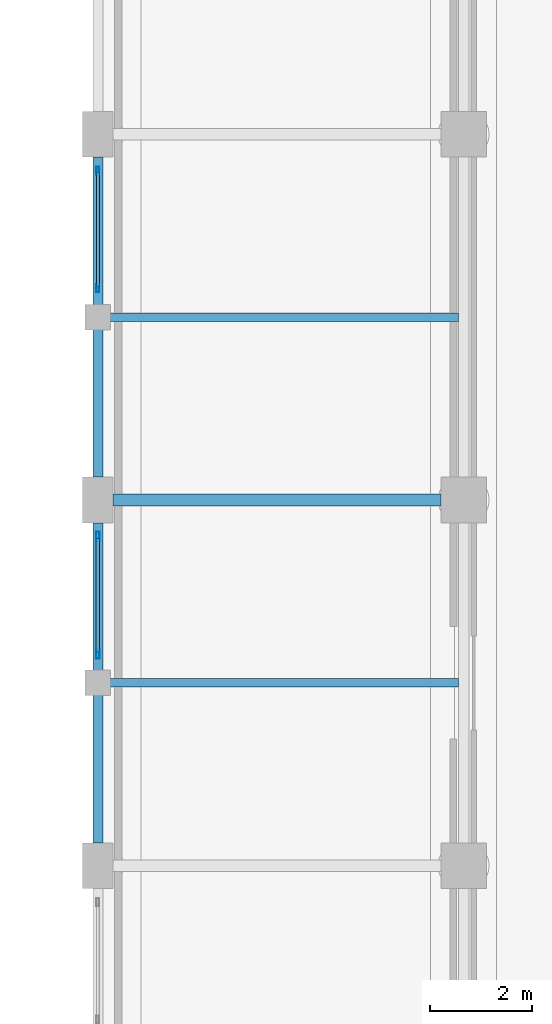
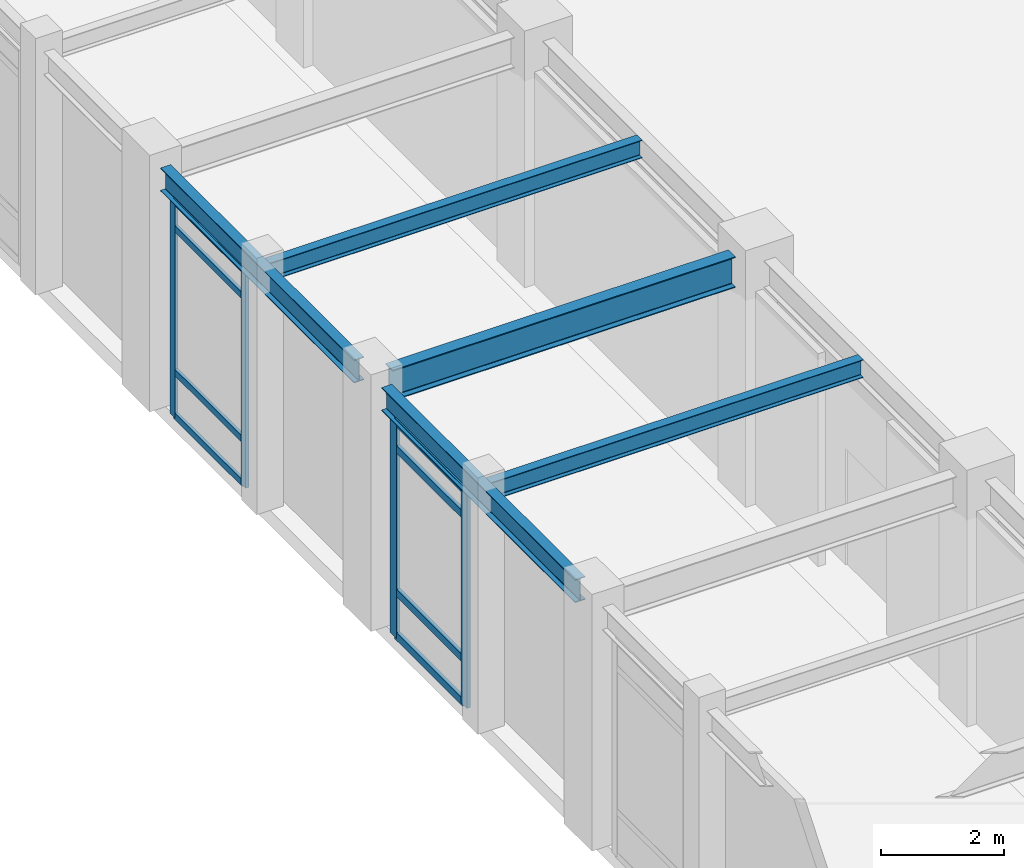
# One storey, part 22 of 117: 12 members, 5 beams, 2 elements without a shape of their own.
"""IFC4 building model written with IfcOpenShell, lengths in metres."""

from ifc_helpers import new_model, si_unit, direction, frame, origin, origin_2d, place, context, subcontext, project, spatial, hollow_rectangle, i_section, extrude, material, layer, layer_set, material_profile, profile_set, type_object, element, aggregate, save


model = new_model("IFC4")

# Units and contexts
model_context = context("Model", 3, precision=1e-05, world=origin(), true_north=direction((0.0, 1.0)))
body_context = subcontext(model_context, "Body", "Model", "MODEL_VIEW")
ifc_project = project(units=[si_unit("LENGTHUNIT", "METRE"), si_unit("AREAUNIT", "SQUARE_METRE"), si_unit("VOLUMEUNIT", "CUBIC_METRE"), si_unit("PLANEANGLEUNIT", "RADIAN"), si_unit("MASSUNIT", "GRAM", prefix="KILO")], contexts=[model_context])

# Site, building, storey
site_placement = place(None, origin())
site = spatial("IfcSite", under=ifc_project, at=site_placement, CompositionType="ELEMENT")
building_placement = place(site_placement, origin())
building = spatial("IfcBuilding", under=site, at=building_placement, Name="Carrowvane Square Congress Hotel", CompositionType="ELEMENT")
storey_placement = place(building_placement, frame((0.0, 0.0, 5.39990234375)))
storey = spatial("IfcBuildingStorey", under=building, at=storey_placement, Name="L01", CompositionType="ELEMENT", Elevation=5.39990234375)

# Beams
ifc_material_1 = material(Name="Steel S355", Category="steel")
ifc_material_profile_1 = material_profile(ifc_material_1, i_section(OverallWidth=0.172119140625, OverallDepth=0.35791015625, WebThickness=0.008056640625, FlangeThickness=0.012939453125, FilletRadius=0.01025390625, at=origin_2d()), Name="UKB 356x171x57")
ifc_profile_set_1 = profile_set([ifc_material_profile_1], Name="Steel S355")
beam_type_1 = type_object("IfcBeamType", Name="BM-ST-UKB356", PredefinedType="JOIST", material=ifc_profile_set_1)
for number, where, z_axis, x_axis, name in (
    (1, (134.095703125, 30.60009765625, 4.60107421875), (1.0, 0.0, 0.0), (0.0, 1.0, 0.0), "L02 secondary joist 18-19"),
    (2, (134.095703125, 37.800048828125, 4.60107421875), (1.0, 0.0, 0.0), (0.0, 1.0, 0.0), "L02 secondary joist 18-19"),
):
    element("IfcBeam", number, at=place(storey_placement, frame(where, z_axis=z_axis, x_axis=x_axis)), inside=storey, type_object=beam_type_1, Name=name, PredefinedType="JOIST", context=body_context, shape_type="SweptSolid", body=[
        extrude(i_section(OverallWidth=0.172119140625, OverallDepth=0.35791015625, WebThickness=0.008056640625, FlangeThickness=0.012939453125, FilletRadius=0.01025390625, at=origin_2d()), origin(), (0.0, 0.0, 1.0), 6.999267578125),
    ])
ifc_material_2 = material(Name="Steel S355", Category="steel")
ifc_material_profile_2 = material_profile(ifc_material_2, i_section(OverallWidth=0.19140625, OverallDepth=0.4599609375, WebThickness=0.010009765625, FlangeThickness=0.01611328125, FilletRadius=0.01025390625, at=origin_2d()), Name="UKB 457x191x82")
ifc_profile_set_2 = profile_set([ifc_material_profile_2], Name="Steel S355")
beam_type_2 = type_object("IfcBeamType", Name="BM-ST-UKB457", PredefinedType="SPANDREL", material=ifc_profile_set_2)
for number, where, z_axis, x_axis, name in (
    (3, (134.0, 27.449951171875, 4.550048828125), (0.0, 1.0, 0.0), (-1.0, 0.0, 0.0), "L02 girder 18/D-E"),
    (4, (134.0, 34.64990234375, 4.550048828125), (0.0, 1.0, 0.0), (-1.0, 0.0, 0.0), "L02 girder 18/E-F"),
):
    element("IfcBeam", number, at=place(storey_placement, frame(where, z_axis=z_axis, x_axis=x_axis)), inside=storey, type_object=beam_type_2, Name=name, PredefinedType="SPANDREL", context=body_context, shape_type="SweptSolid", body=[
        extrude(i_section(OverallWidth=0.19140625, OverallDepth=0.4599609375, WebThickness=0.010009765625, FlangeThickness=0.01611328125, FilletRadius=0.01025390625, at=origin_2d()), origin(), (0.0, 0.0, 1.0), 6.300048828125),
    ])
ifc_material_3 = material(Name="Steel S355", Category="steel")
ifc_material_profile_3 = material_profile(ifc_material_3, i_section(OverallWidth=0.22900390625, OverallDepth=0.6123046875, WebThickness=0.011962890625, FlangeThickness=0.01953125, FilletRadius=0.0126953125, at=origin_2d()), Name="UKB 610x229x125")
ifc_profile_set_3 = profile_set([ifc_material_profile_3], Name="Steel S355")
beam_type_3 = type_object("IfcBeamType", Name="BM-ST-UKB610A", PredefinedType="USERDEFINED", material=ifc_profile_set_3)
beam_placement = place(storey_placement, frame((134.300048828125, 34.199951171875, 4.473876953125), z_axis=(1.0, 0.0, 0.0), x_axis=(0.0, 1.0, 0.0)))
element("IfcBeam", 5, at=beam_placement, inside=storey, type_object=beam_type_3, Name="L02 girder E/18-19", ObjectType="GIRDER", PredefinedType="USERDEFINED", context=body_context, shape_type="SweptSolid", body=[
    extrude(i_section(OverallWidth=0.22900390625, OverallDepth=0.6123046875, WebThickness=0.011962890625, FlangeThickness=0.01953125, FilletRadius=0.0126953125, at=origin_2d()), origin(), (0.0, 0.0, 1.0), 6.449951171875),
])

# Curtain wall, members
ifc_material_4 = material(Name="Anodised aluminium", Category="aluminium")
ifc_layer_1 = layer(ifc_material_4, 0.2099609375)
ifc_layer_set_1 = layer_set([ifc_layer_1], Name="Anodised aluminium")
curtain_wall_type_1 = type_object("IfcCurtainWallType", Name="CW-SYS-5", PredefinedType="NOTDEFINED", material=ifc_layer_set_1)
curtain_wall_1_placement = place(storey_placement, origin())
curtain_wall_1 = element("IfcCurtainWall", 6, at=curtain_wall_1_placement, inside=storey, type_object=curtain_wall_type_1, Name="L01 unitised curtain wall 116", PredefinedType="NOTDEFINED")
ifc_material_5 = material(Name="Anodised aluminium", Category="aluminium")
ifc_material_profile_4 = material_profile(ifc_material_5, hollow_rectangle(XDim=0.06005859375, YDim=0.159912109375, WallThickness=0.00390625, at=origin_2d()), Name="CW-ML 60x160x4")
ifc_profile_set_4 = profile_set([ifc_material_profile_4], Name="Anodised aluminium")
member_type_1 = type_object("IfcMemberType", Name="CW-MUL-1", PredefinedType="MULLION", material=ifc_profile_set_4)
member_1_placement = place(storey_placement, frame((134.0, 38.3701171875, 0.0), z_axis=(0.0, 0.0, 1.0), x_axis=(-1.0, 0.0, 0.0)))
member_1 = element("IfcMember", 7, at=member_1_placement, type_object=member_type_1, Name="CW-5 mullion 1", PredefinedType="MULLION", context=body_context, shape_type="SweptSolid", body=[
    extrude(hollow_rectangle(XDim=0.06005859375, YDim=0.159912109375, WallThickness=0.00390625, at=origin_2d()), origin(), (0.0, 0.0, 1.0), 4.30517578125),
])
member_2_placement = place(storey_placement, frame((134.0, 40.679931640625, 0.0), z_axis=(0.0, 0.0, 1.0), x_axis=(-1.0, 0.0, 0.0)))
member_2 = element("IfcMember", 8, at=member_2_placement, type_object=member_type_1, Name="CW-5 mullion 2", PredefinedType="MULLION", context=body_context, shape_type="SweptSolid", body=[
    extrude(hollow_rectangle(XDim=0.06005859375, YDim=0.159912109375, WallThickness=0.00390625, at=origin_2d()), origin(), (0.0, 0.0, 1.0), 4.30517578125),
])

ifc_material_6 = material(Name="Anodised aluminium", Category="aluminium")
ifc_layer_2 = layer(ifc_material_6, 0.197998046875)
ifc_layer_set_2 = layer_set([ifc_layer_2], Name="Anodised aluminium")
curtain_wall_type_2 = type_object("IfcCurtainWallType", Name="CW-SYS-4", PredefinedType="NOTDEFINED", material=ifc_layer_set_2)
curtain_wall_2_placement = place(storey_placement, origin())
curtain_wall_2 = element("IfcCurtainWall", 9, at=curtain_wall_2_placement, inside=storey, type_object=curtain_wall_type_2, Name="L01 unitised curtain wall 115", PredefinedType="NOTDEFINED")
ifc_material_7 = material(Name="Anodised aluminium", Category="aluminium")
ifc_material_profile_5 = material_profile(ifc_material_7, hollow_rectangle(XDim=0.070068359375, YDim=0.199951171875, WallThickness=0.0048828125, at=origin_2d()), Name="CW-ML 70x200x5")
ifc_profile_set_5 = profile_set([ifc_material_profile_5], Name="Anodised aluminium")
member_type_2 = type_object("IfcMemberType", Name="CW-MUL-2", PredefinedType="MULLION", material=ifc_profile_set_5)
member_3_placement = place(storey_placement, frame((134.0, 31.175048828125, 0.0), z_axis=(0.0, 0.0, 1.0), x_axis=(-1.0, 0.0, 0.0)))
member_3 = element("IfcMember", 10, at=member_3_placement, type_object=member_type_2, Name="CW-4 mullion 1", PredefinedType="MULLION", context=body_context, shape_type="SweptSolid", body=[
    extrude(hollow_rectangle(XDim=0.070068359375, YDim=0.199951171875, WallThickness=0.0048828125, at=origin_2d()), origin(), (0.0, 0.0, 1.0), 4.30517578125),
])
member_4_placement = place(storey_placement, frame((134.0, 33.47509765625, 0.0), z_axis=(0.0, 0.0, 1.0), x_axis=(-1.0, 0.0, 0.0)))
member_4 = element("IfcMember", 11, at=member_4_placement, type_object=member_type_2, Name="CW-4 mullion 2", PredefinedType="MULLION", context=body_context, shape_type="SweptSolid", body=[
    extrude(hollow_rectangle(XDim=0.070068359375, YDim=0.199951171875, WallThickness=0.0048828125, at=origin_2d()), origin(), (0.0, 0.0, 1.0), 4.30517578125),
])

# Member
ifc_material_8 = material(Name="Anodised aluminium", Category="aluminium")
ifc_material_profile_6 = material_profile(ifc_material_8, hollow_rectangle(XDim=0.06005859375, YDim=0.1298828125, WallThickness=0.00390625, at=origin_2d()), Name="CW-TR 60x130x4")
ifc_profile_set_6 = profile_set([ifc_material_profile_6], Name="Anodised aluminium")
member_type_3 = type_object("IfcMemberType", Name="CW-TRN-1", PredefinedType="USERDEFINED", material=ifc_profile_set_6)
member_5_placement = place(storey_placement, frame((134.0, 38.39990234375, 0.030029296875), z_axis=(0.0, 1.0, 0.0), x_axis=(-1.0, 0.0, 0.0)))
member_5 = element("IfcMember", 12, at=member_5_placement, type_object=member_type_3, Name="CW-5 transom 1.1", ObjectType="TRANSOM", PredefinedType="USERDEFINED", context=body_context, shape_type="SweptSolid", body=[
    extrude(hollow_rectangle(XDim=0.06005859375, YDim=0.1298828125, WallThickness=0.00390625, at=origin_2d()), origin(), (0.0, 0.0, 1.0), 2.25),
])

member_6_placement = place(storey_placement, frame((134.0, 38.39990234375, 0.900146484375), z_axis=(0.0, 1.0, 0.0), x_axis=(-1.0, 0.0, 0.0)))
member_6 = element("IfcMember", 13, at=member_6_placement, type_object=member_type_3, Name="CW-5 transom 1.2", ObjectType="TRANSOM", PredefinedType="USERDEFINED", context=body_context, shape_type="SweptSolid", body=[
    extrude(hollow_rectangle(XDim=0.06005859375, YDim=0.1298828125, WallThickness=0.00390625, at=origin_2d()), origin(), (0.0, 0.0, 1.0), 2.25),
])

member_7_placement = place(storey_placement, frame((134.0, 38.39990234375, 3.755126953125), z_axis=(0.0, 1.0, 0.0), x_axis=(-1.0, 0.0, 0.0)))
member_7 = element("IfcMember", 14, at=member_7_placement, type_object=member_type_3, Name="CW-5 transom 1.3", ObjectType="TRANSOM", PredefinedType="USERDEFINED", context=body_context, shape_type="SweptSolid", body=[
    extrude(hollow_rectangle(XDim=0.06005859375, YDim=0.1298828125, WallThickness=0.00390625, at=origin_2d()), origin(), (0.0, 0.0, 1.0), 2.25),
])

member_8_placement = place(storey_placement, frame((134.0, 38.39990234375, 4.275146484375), z_axis=(0.0, 1.0, 0.0), x_axis=(-1.0, 0.0, 0.0)))
member_8 = element("IfcMember", 15, at=member_8_placement, type_object=member_type_3, Name="CW-5 transom 1.4", ObjectType="TRANSOM", PredefinedType="USERDEFINED", context=body_context, shape_type="SweptSolid", body=[
    extrude(hollow_rectangle(XDim=0.06005859375, YDim=0.1298828125, WallThickness=0.00390625, at=origin_2d()), origin(), (0.0, 0.0, 1.0), 2.25),
])

aggregate(curtain_wall_1, [member_1, member_2, member_5, member_6, member_7, member_8])

ifc_material_9 = material(Name="Anodised aluminium", Category="aluminium")
ifc_material_profile_7 = material_profile(ifc_material_9, hollow_rectangle(XDim=0.070068359375, YDim=0.14990234375, WallThickness=0.0048828125, at=origin_2d()), Name="CW-TR 70x150x5")
ifc_profile_set_7 = profile_set([ifc_material_profile_7], Name="Anodised aluminium")
member_type_4 = type_object("IfcMemberType", Name="CW-TRN-2", PredefinedType="USERDEFINED", material=ifc_profile_set_7)
member_9_placement = place(storey_placement, frame((134.0, 31.2099609375, 0.03515625), z_axis=(0.0, 1.0, 0.0), x_axis=(-1.0, 0.0, 0.0)))
member_9 = element("IfcMember", 16, at=member_9_placement, type_object=member_type_4, Name="CW-4 transom 1.1", ObjectType="TRANSOM", PredefinedType="USERDEFINED", context=body_context, shape_type="SweptSolid", body=[
    extrude(hollow_rectangle(XDim=0.070068359375, YDim=0.14990234375, WallThickness=0.0048828125, at=origin_2d()), origin(), (0.0, 0.0, 1.0), 2.22998046875),
])

member_10_placement = place(storey_placement, frame((134.0, 31.2099609375, 0.900146484375), z_axis=(0.0, 1.0, 0.0), x_axis=(-1.0, 0.0, 0.0)))
member_10 = element("IfcMember", 17, at=member_10_placement, type_object=member_type_4, Name="CW-4 transom 1.2", ObjectType="TRANSOM", PredefinedType="USERDEFINED", context=body_context, shape_type="SweptSolid", body=[
    extrude(hollow_rectangle(XDim=0.070068359375, YDim=0.14990234375, WallThickness=0.0048828125, at=origin_2d()), origin(), (0.0, 0.0, 1.0), 2.22998046875),
])

member_11_placement = place(storey_placement, frame((134.0, 31.2099609375, 3.755126953125), z_axis=(0.0, 1.0, 0.0), x_axis=(-1.0, 0.0, 0.0)))
member_11 = element("IfcMember", 18, at=member_11_placement, type_object=member_type_4, Name="CW-4 transom 1.3", ObjectType="TRANSOM", PredefinedType="USERDEFINED", context=body_context, shape_type="SweptSolid", body=[
    extrude(hollow_rectangle(XDim=0.070068359375, YDim=0.14990234375, WallThickness=0.0048828125, at=origin_2d()), origin(), (0.0, 0.0, 1.0), 2.22998046875),
])

member_12_placement = place(storey_placement, frame((134.0, 31.2099609375, 4.27001953125), z_axis=(0.0, 1.0, 0.0), x_axis=(-1.0, 0.0, 0.0)))
member_12 = element("IfcMember", 19, at=member_12_placement, type_object=member_type_4, Name="CW-4 transom 1.4", ObjectType="TRANSOM", PredefinedType="USERDEFINED", context=body_context, shape_type="SweptSolid", body=[
    extrude(hollow_rectangle(XDim=0.070068359375, YDim=0.14990234375, WallThickness=0.0048828125, at=origin_2d()), origin(), (0.0, 0.0, 1.0), 2.22998046875),
])

aggregate(curtain_wall_2, [member_3, member_4, member_9, member_10, member_11, member_12])

save(model, "model.ifc")
